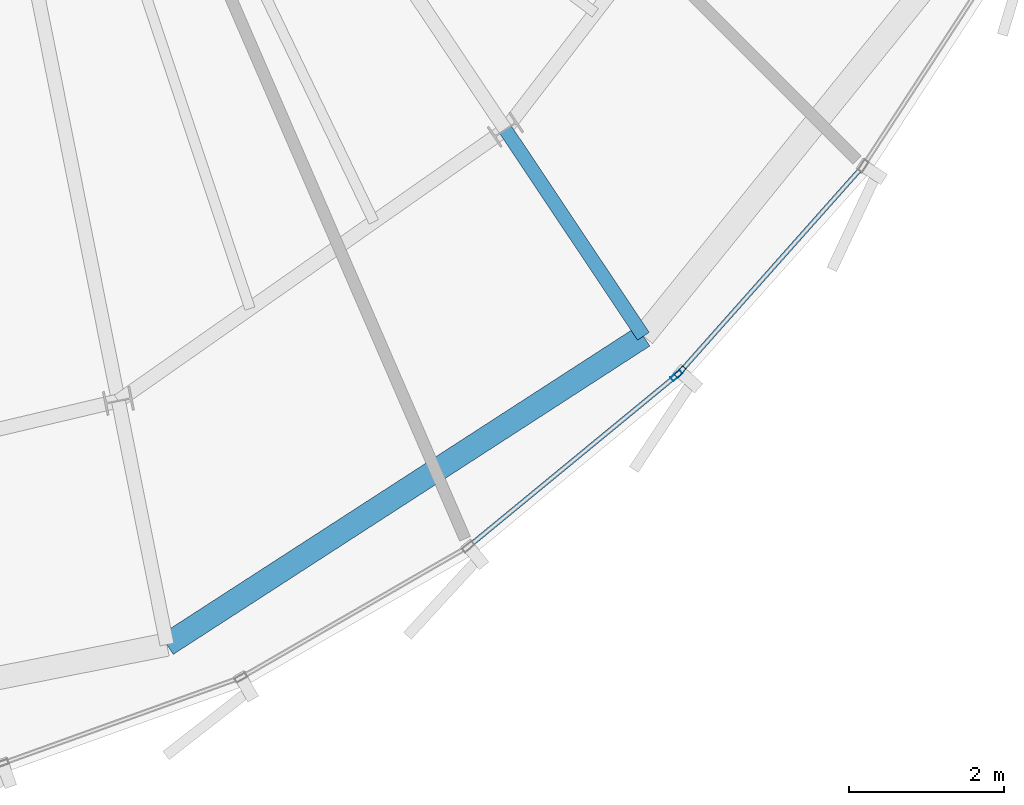
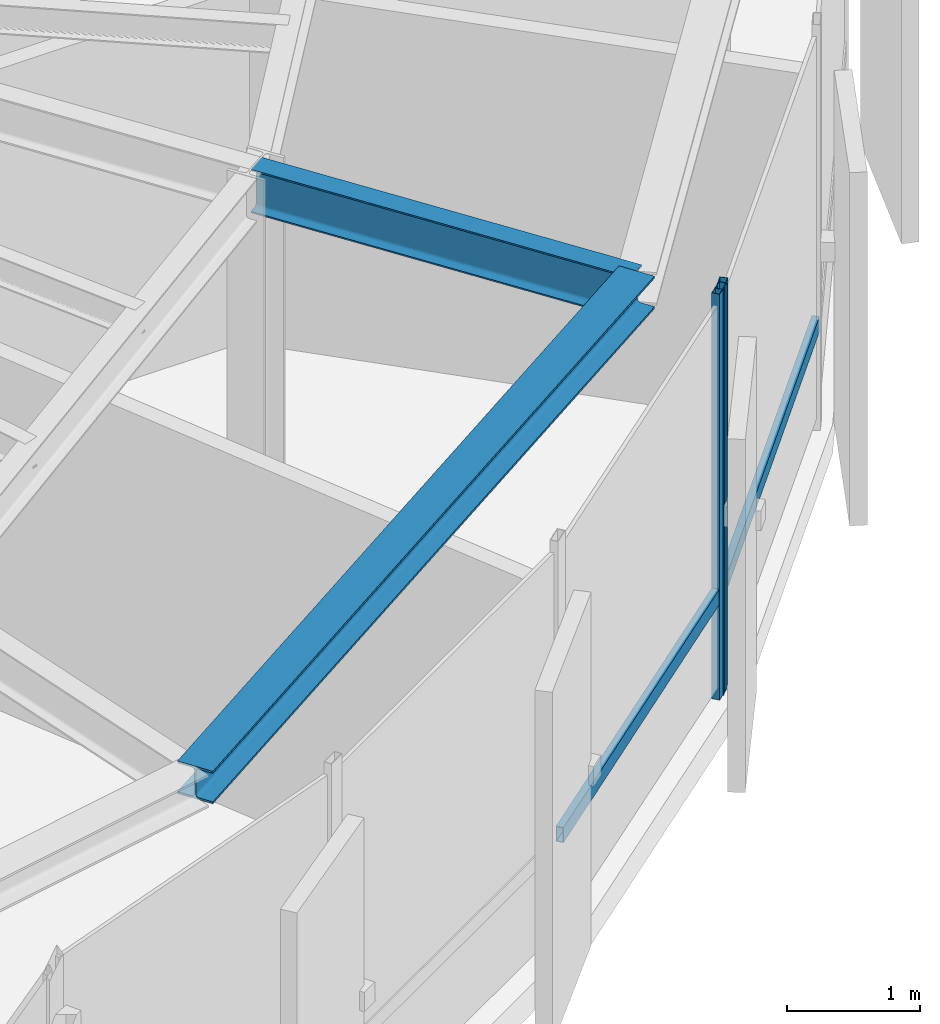
# One storey, part 7 of 27: 4 members, 2 beams, 2 elements without a shape of their own.
"""IFC4 building model written with IfcOpenShell, lengths in metres."""

from ifc_helpers import new_model, si_unit, direction, frame, origin, origin_2d, place, context, subcontext, project, spatial, hollow_rectangle, i_section, extrude, source, transform, mapped, material, layer, layer_set, material_profile, profile_set, type_object, element, aggregate, save


model = new_model("IFC4")

# Units and contexts
model_context = context("Model", 3, precision=1e-05, world=origin(), true_north=direction((0.0, 1.0)))
body_context = subcontext(model_context, "Body", "Model", "MODEL_VIEW")
ifc_project = project(units=[si_unit("LENGTHUNIT", "METRE"), si_unit("AREAUNIT", "SQUARE_METRE"), si_unit("VOLUMEUNIT", "CUBIC_METRE"), si_unit("PLANEANGLEUNIT", "RADIAN"), si_unit("MASSUNIT", "GRAM", prefix="KILO"), si_unit("THERMODYNAMICTEMPERATUREUNIT", "KELVIN")], contexts=[model_context])

# Site, building, storey
site_placement = place(None, origin())
site = spatial("IfcSite", under=ifc_project, at=site_placement, CompositionType="ELEMENT")
building_placement = place(site_placement, origin())
building = spatial("IfcBuilding", under=site, at=building_placement, Name="Kethvar Cultural Tower", CompositionType="ELEMENT")
storey_placement = place(building_placement, frame((0.0, 0.0, 312.300048828125)))
storey = spatial("IfcBuildingStorey", under=building, at=storey_placement, Name="L83", CompositionType="ELEMENT", Elevation=312.300048828125)

# Beams
ifc_material_1 = material(Name="Steel S355J2", Category="steel")
ifc_material_profile_1 = material_profile(ifc_material_1, i_section(OverallWidth=0.179931640625, OverallDepth=0.39990234375, WebThickness=0.008544921875, FlangeThickness=0.013427734375, FilletRadius=0.02099609375, at=origin_2d()), Name="Steel S355J2 — IPE400")
ifc_profile_set_1 = profile_set([ifc_material_profile_1], Name="Steel S355J2 — IPE400")
beam_type_1 = type_object("IfcBeamType", Name="BM-IPE400", PredefinedType="BEAM", material=ifc_profile_set_1)
shared_shape_1 = source(origin(), body_context, "Body", "SweptSolid", [
    extrude(i_section(OverallWidth=0.179931640625, OverallDepth=0.39990234375, WebThickness=0.008544921875, FlangeThickness=0.013427734375, FilletRadius=0.02099609375, at=origin_2d()), origin(), (0.0, 0.0, 1.0), 3.199951171875),
])
beam_1_placement = place(storey_placement, frame((54.885009765625, 15.7001953125, 3.532958984375), z_axis=(0.555492222339, -0.83152173208, 0.0), x_axis=(0.83152173208, 0.555492222339, 0.0)))
element("IfcBeam", 1, at=beam_1_placement, inside=storey, type_object=beam_type_1, Name="L83 Perimeter Cantilever Beam RC-14", PredefinedType="BEAM", context=body_context, shape_type="MappedRepresentation", body=[
    mapped(shared_shape_1, transform((0.0, 0.0, 0.0), scale=1.0)),
])
ifc_material_profile_2 = material_profile(ifc_material_1, i_section(OverallWidth=0.300048828125, OverallDepth=0.300048828125, WebThickness=0.010986328125, FlangeThickness=0.01904296875, FilletRadius=0.027099609375, at=origin_2d()), Name="Steel S355J2 — HEB300")
ifc_profile_set_2 = profile_set([ifc_material_profile_2], Name="Steel S355J2 — HEB300")
beam_type_2 = type_object("IfcBeamType", Name="BM-SP300", PredefinedType="SPANDREL", material=ifc_profile_set_2)
shared_shape_2 = source(origin(), body_context, "Body", "SweptSolid", [
    extrude(i_section(OverallWidth=0.300048828125, OverallDepth=0.300048828125, WebThickness=0.010986328125, FlangeThickness=0.01904296875, FilletRadius=0.027099609375, at=origin_2d()), origin(), (0.0, 0.0, 1.0), 7.309326171875),
])
beam_2_placement = place(storey_placement, frame((50.52587890625, 9.068359375, 3.5830078125), z_axis=(0.839562091992, 0.543263742292, 0.0), x_axis=(-0.543263742292, 0.839562091992, 0.0)))
element("IfcBeam", 2, at=beam_2_placement, inside=storey, type_object=beam_type_2, Name="L83 Perimeter Spandrel Beam SP-13", PredefinedType="SPANDREL", context=body_context, shape_type="MappedRepresentation", body=[
    mapped(shared_shape_2, transform((0.0, 0.0, 0.0), scale=1.0)),
])

# Curtain wall, member
ifc_material_2 = material(Name="Aluminium 6063-T6", Category="aluminium")
ifc_layer = layer(ifc_material_2, 0.179931640625, Name="Aluminium 6063-T6", Category="aluminium")
ifc_layer_set = layer_set([ifc_layer], Name="Aluminium 6063-T6 (180 mm)")
curtain_wall_type = type_object("IfcCurtainWallType", Name="CW-SYS-06-CROWN", PredefinedType="NOTDEFINED", material=ifc_layer_set)
curtain_wall_1_placement = place(storey_placement, origin())
curtain_wall_1 = element("IfcCurtainWall", 3, at=curtain_wall_1_placement, inside=storey, type_object=curtain_wall_type, Name="L83 Curtain Wall Run 04", PredefinedType="NOTDEFINED")
ifc_material_profile_3 = material_profile(ifc_material_2, hollow_rectangle(XDim=0.06494140625, YDim=0.159912109375, WallThickness=0.0048828125, at=origin_2d()), Name="Aluminium 6063-T6 — RHS160x65x5")
ifc_profile_set_3 = profile_set([ifc_material_profile_3], Name="Aluminium 6063-T6 — RHS160x65x5")
member_type_1 = type_object("IfcMemberType", Name="CW-SYS-06-CROWN-MUL", PredefinedType="MULLION", material=ifc_profile_set_3)
shared_shape_3 = source(origin(), body_context, "Body", "SweptSolid", [
    extrude(hollow_rectangle(XDim=0.06494140625, YDim=0.159912109375, WallThickness=0.0048828125, at=origin_2d()), origin(), (0.0, 0.0, 1.0), 3.73486328125),
])
member_1_placement = place(storey_placement, frame((57.08837890625, 12.5341796875, 0.0), z_axis=(0.0, 0.0, 1.0), x_axis=(-0.635310264435, 0.772256996021, 0.0)))
member_1 = element("IfcMember", 4, at=member_1_placement, type_object=member_type_1, Name="CW-L83-R04 Mullion 7", PredefinedType="MULLION", context=body_context, shape_type="MappedRepresentation", body=[
    mapped(shared_shape_3, transform((0.0, 0.0, 0.0), scale=1.0)),
])

# Curtain wall, members
curtain_wall_2_placement = place(storey_placement, origin())
curtain_wall_2 = element("IfcCurtainWall", 5, at=curtain_wall_2_placement, inside=storey, type_object=curtain_wall_type, Name="L83 Curtain Wall Run 05", PredefinedType="NOTDEFINED")
member_2_placement = place(storey_placement, frame((57.1357421875, 12.57958984375, 0.0), z_axis=(0.0, 0.0, 1.0), x_axis=(-0.747577883116, 0.66417415538, 0.0)))
member_2 = element("IfcMember", 6, at=member_2_placement, type_object=member_type_1, Name="CW-L83-R05 Mullion 1", PredefinedType="MULLION", context=body_context, shape_type="MappedRepresentation", body=[
    mapped(shared_shape_3, transform((0.0, 0.0, 0.0), scale=1.0)),
])
ifc_material_profile_4 = material_profile(ifc_material_2, hollow_rectangle(XDim=0.06005859375, YDim=0.139892578125, WallThickness=0.0048828125, at=origin_2d()), Name="Aluminium 6063-T6 — RHS140x60x5")
ifc_profile_set_4 = profile_set([ifc_material_profile_4], Name="Aluminium 6063-T6 — RHS140x60x5")
member_type_2 = type_object("IfcMemberType", Name="CW-SYS-06-CROWN-TRN", PredefinedType="USERDEFINED", material=ifc_profile_set_4)
shared_shape_4 = source(origin(), body_context, "Body", "SweptSolid", [
    extrude(hollow_rectangle(XDim=0.06005859375, YDim=0.139892578125, WallThickness=0.0048828125, at=origin_2d()), origin(), (0.0, 0.0, 1.0), 3.514404296875),
])
member_3_placement = place(storey_placement, frame((57.138916015625, 12.5830078125, 0.949951171875), z_axis=(0.66412233997, 0.747623914514, 0.0), x_axis=(-0.747623914514, 0.66412233997, 0.0)))
member_3 = element("IfcMember", 7, at=member_3_placement, type_object=member_type_2, Name="CW-L83-R05 Transom 1", ObjectType="TRANSOM", PredefinedType="USERDEFINED", context=body_context, shape_type="MappedRepresentation", body=[
    mapped(shared_shape_4, transform((0.0, 0.0, 0.0), scale=1.0)),
])
aggregate(curtain_wall_2, [member_2, member_3])

# Member
shared_shape_5 = source(origin(), body_context, "Body", "SweptSolid", [
    extrude(hollow_rectangle(XDim=0.06005859375, YDim=0.139892578125, WallThickness=0.0048828125, at=origin_2d()), origin(), (0.0, 0.0, 1.0), 3.418701171875),
])
member_4_placement = place(storey_placement, frame((54.44482421875, 10.359375, 0.949951171875), z_axis=(0.772268200583, 0.635296644386, 0.0), x_axis=(-0.635296644386, 0.772268200583, 0.0)))
member_4 = element("IfcMember", 8, at=member_4_placement, type_object=member_type_2, Name="CW-L83-R04 Transom 6", ObjectType="TRANSOM", PredefinedType="USERDEFINED", context=body_context, shape_type="MappedRepresentation", body=[
    mapped(shared_shape_5, transform((0.0, 0.0, 0.0), scale=1.0)),
])

aggregate(curtain_wall_1, [member_1, member_4])

save(model, "model.ifc")
